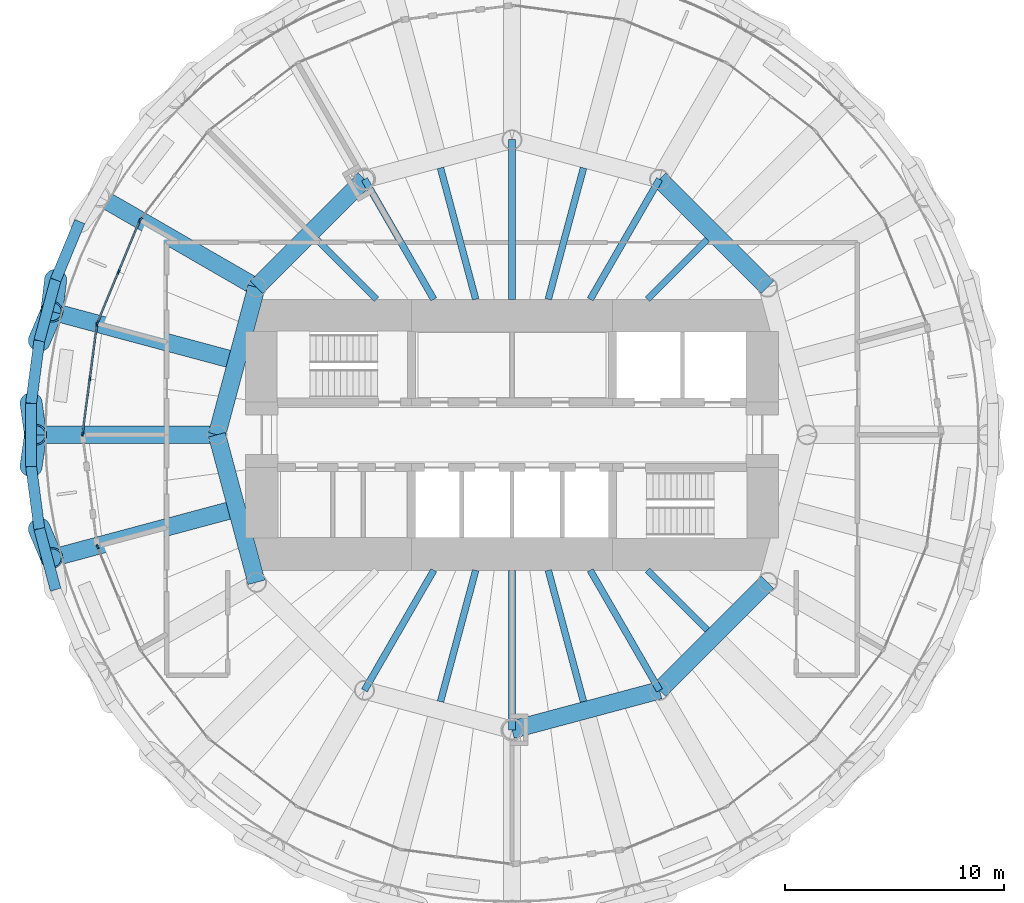
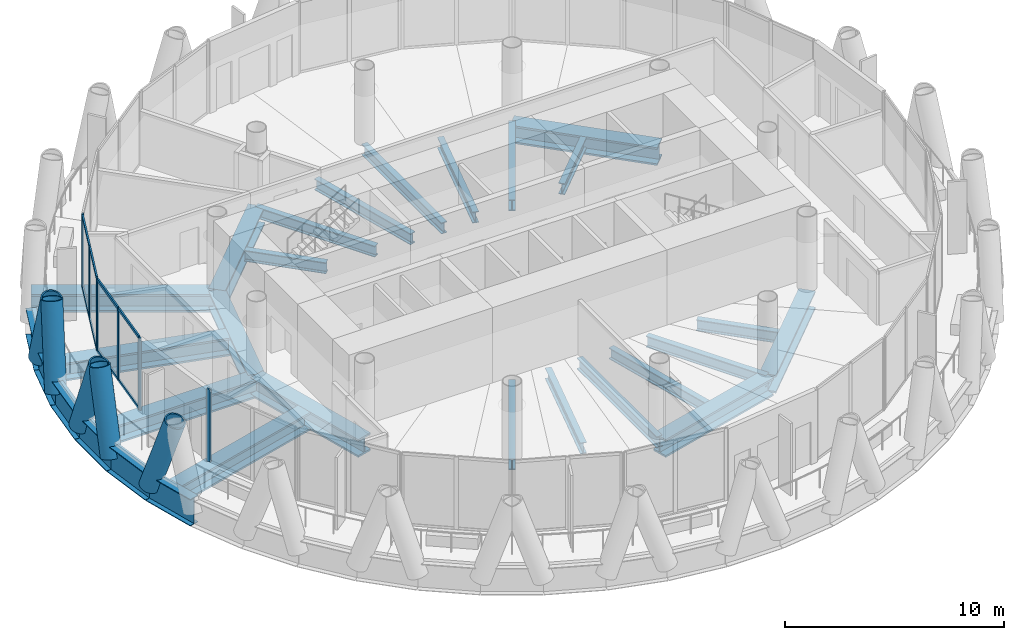
# One storey, part 3 of 15: 29 beams, 21 members, 4 elements without a shape of their own.
"""IFC4 building model written with IfcOpenShell, lengths in metres."""

from ifc_helpers import new_model, si_unit, direction, frame, origin, origin_2d, place, context, subcontext, project, spatial, rectangle, hollow_circle, i_section, extrude, material, material_profile, profile_set, type_object, element, aggregate, save


model = new_model("IFC4")

# Units and contexts
model_context = context("Model", 3, precision=1e-05, world=origin(), true_north=direction((0.0, 1.0)))
body_context = subcontext(model_context, "Body", "Model", "MODEL_VIEW")
ifc_project = project(units=[si_unit("LENGTHUNIT", "METRE"), si_unit("AREAUNIT", "SQUARE_METRE"), si_unit("VOLUMEUNIT", "CUBIC_METRE"), si_unit("PLANEANGLEUNIT", "RADIAN"), si_unit("MASSUNIT", "GRAM", prefix="KILO")], contexts=[model_context])

# Site, building, storey
site_placement = place(None, origin())
site = spatial("IfcSite", under=ifc_project, at=site_placement, CompositionType="ELEMENT")
building_placement = place(site_placement, origin())
building = spatial("IfcBuilding", under=site, at=building_placement, Name="Qaws Media Tower", CompositionType="ELEMENT")
storey_placement = place(building_placement, frame((0.0, 0.0, 257.0)))
storey = spatial("IfcBuildingStorey", under=building, at=storey_placement, Name="L59", CompositionType="ELEMENT", Elevation=257.0)

# Curtain wall, member
ifc_material_1 = material(Name="Aluminium and clear glass", Category="aluminium")
curtain_wall_type = type_object("IfcCurtainWallType", Name="Unitised curtain wall CW-C", PredefinedType="NOTDEFINED", material=ifc_material_1)
curtain_wall_1_placement = place(storey_placement, origin())
curtain_wall_1 = element("IfcCurtainWall", 1, at=curtain_wall_1_placement, inside=storey, type_object=curtain_wall_type, Name="CWC curtain wall L59-10", PredefinedType="NOTDEFINED")
ifc_material_2 = material(Name="Aluminium mullion", Category="aluminium")
ifc_material_profile_1 = material_profile(ifc_material_2, rectangle(XDim=0.080078125, YDim=0.199951171875, at=origin_2d()), Name="80x200")
ifc_profile_set_1 = profile_set([ifc_material_profile_1], Name="Aluminium mullion")
member_type_1 = type_object("IfcMemberType", Name="Curtain wall mullion 80x200", PredefinedType="MULLION", material=ifc_profile_set_1)
member_1_placement = place(storey_placement, frame((43.0068359375, 59.856689453125, 0.0), z_axis=(0.0, 0.0, 1.0), x_axis=(0.793353316003, -0.608761460662, 0.0)))
member_1 = element("IfcMember", 2, at=member_1_placement, type_object=member_type_1, Name="CWC mullion 3", PredefinedType="MULLION", context=body_context, shape_type="SweptSolid", body=[
    extrude(rectangle(XDim=0.080078125, YDim=0.199951171875, at=origin_2d()), origin(), (0.0, 0.0, 1.0), 4.0400390625),
])
aggregate(curtain_wall_1, [member_1])

# Curtain wall, members
curtain_wall_2_placement = place(storey_placement, origin())
curtain_wall_2 = element("IfcCurtainWall", 3, at=curtain_wall_2_placement, inside=storey, type_object=curtain_wall_type, Name="CWC curtain wall L59-11", PredefinedType="NOTDEFINED")
member_2_placement = place(storey_placement, frame((42.96728515625, 59.7880859375, 0.0), z_axis=(0.0, 0.0, 1.0), x_axis=(0.923879560089, -0.382683365786, 0.0)))
member_2 = element("IfcMember", 4, at=member_2_placement, type_object=member_type_1, Name="CWC mullion 1", PredefinedType="MULLION", context=body_context, shape_type="SweptSolid", body=[
    extrude(rectangle(XDim=0.080078125, YDim=0.199951171875, at=origin_2d()), origin(), (0.0, 0.0, 1.0), 4.0400390625),
])
member_3_placement = place(storey_placement, frame((42.0009765625, 57.455322265625, 0.0), z_axis=(0.0, 0.0, 1.0), x_axis=(0.923879560089, -0.382683365786, 0.0)))
member_3 = element("IfcMember", 5, at=member_3_placement, type_object=member_type_1, Name="CWC mullion 2", PredefinedType="MULLION", context=body_context, shape_type="SweptSolid", body=[
    extrude(rectangle(XDim=0.080078125, YDim=0.199951171875, at=origin_2d()), origin(), (0.0, 0.0, 1.0), 4.0400390625),
])
member_4_placement = place(storey_placement, frame((41.034912109375, 55.122802734375, 0.0), z_axis=(0.0, 0.0, 1.0), x_axis=(0.923879560089, -0.382683365786, 0.0)))
member_4 = element("IfcMember", 6, at=member_4_placement, type_object=member_type_1, Name="CWC mullion 3", PredefinedType="MULLION", context=body_context, shape_type="SweptSolid", body=[
    extrude(rectangle(XDim=0.080078125, YDim=0.199951171875, at=origin_2d()), origin(), (0.0, 0.0, 1.0), 4.0400390625),
])

curtain_wall_3_placement = place(storey_placement, origin())
curtain_wall_3 = element("IfcCurtainWall", 7, at=curtain_wall_3_placement, inside=storey, type_object=curtain_wall_type, Name="CWC curtain wall L59-12", PredefinedType="NOTDEFINED")
member_5_placement = place(storey_placement, frame((41.014404296875, 55.046142578125, 0.0), z_axis=(0.0, 0.0, 1.0), x_axis=(0.991444848313, -0.130526291424, 0.0)))
member_5 = element("IfcMember", 8, at=member_5_placement, type_object=member_type_1, Name="CWC mullion 1", PredefinedType="MULLION", context=body_context, shape_type="SweptSolid", body=[
    extrude(rectangle(XDim=0.080078125, YDim=0.199951171875, at=origin_2d()), origin(), (0.0, 0.0, 1.0), 4.0400390625),
])
member_6_placement = place(storey_placement, frame((40.684814453125, 52.54296875, 0.0), z_axis=(0.0, 0.0, 1.0), x_axis=(0.991444848313, -0.130526291424, 0.0)))
member_6 = element("IfcMember", 9, at=member_6_placement, type_object=member_type_1, Name="CWC mullion 2", PredefinedType="MULLION", context=body_context, shape_type="SweptSolid", body=[
    extrude(rectangle(XDim=0.080078125, YDim=0.199951171875, at=origin_2d()), origin(), (0.0, 0.0, 1.0), 4.0400390625),
])
member_7_placement = place(storey_placement, frame((40.355224609375, 50.03955078125, 0.0), z_axis=(0.0, 0.0, 1.0), x_axis=(0.991444848313, -0.130526291424, 0.0)))
member_7 = element("IfcMember", 10, at=member_7_placement, type_object=member_type_1, Name="CWC mullion 3", PredefinedType="MULLION", context=body_context, shape_type="SweptSolid", body=[
    extrude(rectangle(XDim=0.080078125, YDim=0.199951171875, at=origin_2d()), origin(), (0.0, 0.0, 1.0), 4.0400390625),
])

# Curtain wall, member
curtain_wall_4_placement = place(storey_placement, origin())
curtain_wall_4 = element("IfcCurtainWall", 11, at=curtain_wall_4_placement, inside=storey, type_object=curtain_wall_type, Name="CWC curtain wall L59-14", PredefinedType="NOTDEFINED")
member_8_placement = place(storey_placement, frame((41.034912109375, 44.877197265625, 0.0), z_axis=(0.0, 0.0, 1.0), x_axis=(0.923879560089, 0.382683365786, 0.0)))
member_8 = element("IfcMember", 12, at=member_8_placement, type_object=member_type_1, Name="CWC mullion 1", PredefinedType="MULLION", context=body_context, shape_type="SweptSolid", body=[
    extrude(rectangle(XDim=0.080078125, YDim=0.199951171875, at=origin_2d()), origin(), (0.0, 0.0, 1.0), 4.0400390625),
])
aggregate(curtain_wall_4, [member_8])

# Member
ifc_material_3 = material(Name="Aluminium transom", Category="aluminium")
ifc_material_profile_2 = material_profile(ifc_material_3, rectangle(XDim=0.080078125, YDim=0.159912109375, at=origin_2d()), Name="80x160")
ifc_profile_set_2 = profile_set([ifc_material_profile_2], Name="Aluminium transom")
member_type_2 = type_object("IfcMemberType", Name="Curtain wall transom 80x160", PredefinedType="USERDEFINED", material=ifc_profile_set_2)
member_9_placement = place(storey_placement, frame((42.951904296875, 59.7509765625, 0.0400390625), z_axis=(-0.382692837519, -0.923875636713, 0.0), x_axis=(0.923875636713, -0.382692837519, 0.0)))
member_9 = element("IfcMember", 13, at=member_9_placement, type_object=member_type_2, Name="CWC transom 1.1", ObjectType="TRANSOM", PredefinedType="USERDEFINED", context=body_context, shape_type="SweptSolid", body=[
    extrude(rectangle(XDim=0.080078125, YDim=0.159912109375, at=origin_2d()), origin(), (0.0, 0.0, 1.0), 2.444580078125),
])

member_10_placement = place(storey_placement, frame((42.951904296875, 59.7509765625, 4.0), z_axis=(-0.382692837519, -0.923875636713, 0.0), x_axis=(0.923875636713, -0.382692837519, 0.0)))
member_10 = element("IfcMember", 14, at=member_10_placement, type_object=member_type_2, Name="CWC transom 1.2", ObjectType="TRANSOM", PredefinedType="USERDEFINED", context=body_context, shape_type="SweptSolid", body=[
    extrude(rectangle(XDim=0.080078125, YDim=0.159912109375, at=origin_2d()), origin(), (0.0, 0.0, 1.0), 2.444580078125),
])

member_11_placement = place(storey_placement, frame((41.98583984375, 57.41845703125, 0.0400390625), z_axis=(-0.382657531231, -0.923890260687, 0.0), x_axis=(0.923890260687, -0.382657531231, 0.0)))
member_11 = element("IfcMember", 15, at=member_11_placement, type_object=member_type_2, Name="CWC transom 2.1", ObjectType="TRANSOM", PredefinedType="USERDEFINED", context=body_context, shape_type="SweptSolid", body=[
    extrude(rectangle(XDim=0.080078125, YDim=0.159912109375, at=origin_2d()), origin(), (0.0, 0.0, 1.0), 2.44482421875),
])

member_12_placement = place(storey_placement, frame((41.98583984375, 57.41845703125, 4.0), z_axis=(-0.382657531231, -0.923890260687, 0.0), x_axis=(0.923890260687, -0.382657531231, 0.0)))
member_12 = element("IfcMember", 16, at=member_12_placement, type_object=member_type_2, Name="CWC transom 2.2", ObjectType="TRANSOM", PredefinedType="USERDEFINED", context=body_context, shape_type="SweptSolid", body=[
    extrude(rectangle(XDim=0.080078125, YDim=0.159912109375, at=origin_2d()), origin(), (0.0, 0.0, 1.0), 2.44482421875),
])

aggregate(curtain_wall_2, [member_2, member_3, member_4, member_9, member_10, member_11, member_12])

member_13_placement = place(storey_placement, frame((41.009033203125, 55.006591796875, 0.0400390625), z_axis=(-0.130508755558, -0.991447156798, 0.0), x_axis=(0.991447156798, -0.130508755558, 0.0)))
member_13 = element("IfcMember", 17, at=member_13_placement, type_object=member_type_2, Name="CWC transom 1.1", ObjectType="TRANSOM", PredefinedType="USERDEFINED", context=body_context, shape_type="SweptSolid", body=[
    extrude(rectangle(XDim=0.080078125, YDim=0.159912109375, at=origin_2d()), origin(), (0.0, 0.0, 1.0), 2.445068359375),
])

member_14_placement = place(storey_placement, frame((41.009033203125, 55.006591796875, 4.0), z_axis=(-0.130508755558, -0.991447156798, 0.0), x_axis=(0.991447156798, -0.130508755558, 0.0)))
member_14 = element("IfcMember", 18, at=member_14_placement, type_object=member_type_2, Name="CWC transom 1.2", ObjectType="TRANSOM", PredefinedType="USERDEFINED", context=body_context, shape_type="SweptSolid", body=[
    extrude(rectangle(XDim=0.080078125, YDim=0.159912109375, at=origin_2d()), origin(), (0.0, 0.0, 1.0), 2.445068359375),
])

member_15_placement = place(storey_placement, frame((40.679443359375, 52.503173828125, 0.0400390625), z_axis=(-0.130521677146, -0.991445455784, 0.0), x_axis=(0.991445455784, -0.130521677146, 0.0)))
member_15 = element("IfcMember", 19, at=member_15_placement, type_object=member_type_2, Name="CWC transom 2.1", ObjectType="TRANSOM", PredefinedType="USERDEFINED", context=body_context, shape_type="SweptSolid", body=[
    extrude(rectangle(XDim=0.080078125, YDim=0.159912109375, at=origin_2d()), origin(), (0.0, 0.0, 1.0), 2.44482421875),
])

member_16_placement = place(storey_placement, frame((40.679443359375, 52.503173828125, 4.0), z_axis=(-0.130521677146, -0.991445455784, 0.0), x_axis=(0.991445455784, -0.130521677146, 0.0)))
member_16 = element("IfcMember", 20, at=member_16_placement, type_object=member_type_2, Name="CWC transom 2.2", ObjectType="TRANSOM", PredefinedType="USERDEFINED", context=body_context, shape_type="SweptSolid", body=[
    extrude(rectangle(XDim=0.080078125, YDim=0.159912109375, at=origin_2d()), origin(), (0.0, 0.0, 1.0), 2.44482421875),
])

aggregate(curtain_wall_3, [member_5, member_6, member_7, member_13, member_14, member_15, member_16])

# Members
ifc_material_4 = material(Name="Steel S460", Category="steel")
ifc_material_profile_3 = material_profile(ifc_material_4, hollow_circle(Radius=0.508056640625, WallThickness=0.070068359375, at=origin_2d()), Name="CHS 1016x70")
ifc_profile_set_3 = profile_set([ifc_material_profile_3], Name="Steel S460")
member_type_3 = type_object("IfcMemberType", Name="Diagrid member CHS 1016x70", PredefinedType="USERDEFINED", material=ifc_profile_set_3)
for number, where, z_axis, x_axis, name in (
    (21, (39.1201171875, 57.087646484375, -0.909912109375), (-0.039873460202, -0.325138959222, 0.944825255996), (0.992564081167, -0.121723230224, 0.0), "DG3 diagrid L59 A11"),
    (22, (37.997314453125, 51.442138671875, -0.909912109375), (0.045584805806, -0.324421021562, 0.944813752148), (0.990272104917, 0.139144379056, 0.0), "DG3 diagrid L59 A12"),
    (23, (38.373779296875, 54.3017578125, -0.909912109375), (0.128021309233, 0.301572290432, 0.944809344802), (-0.920492264578, 0.39076078469, 0.0), "DG3 diagrid L59 B12"),
    (24, (38.373779296875, 45.6982421875, -0.909912109375), (0.128021309233, -0.301572290432, 0.944809344802), (0.920492264578, 0.39076078469, 0.0), "DG3 diagrid L59 A13"),
    (25, (37.997314453125, 48.557861328125, -0.909912109375), (0.045584805806, 0.324421021562, 0.944813752148), (-0.990272104917, 0.139144379056, 0.0), "DG3 diagrid L59 B13"),
):
    element("IfcMember", number, at=place(storey_placement, frame(where, z_axis=z_axis, x_axis=x_axis)), inside=storey, type_object=member_type_3, Name=name, ObjectType="DIAGRID", PredefinedType="USERDEFINED", context=body_context, shape_type="SweptSolid", body=[
        extrude(hollow_circle(Radius=0.508056640625, WallThickness=0.070068359375, at=origin_2d()), origin(), (0.0, 0.0, 1.0), 4.4453125),
    ])

# Beams
ifc_material_5 = material(Name="Steel S460", Category="steel")
ifc_material_profile_4 = material_profile(ifc_material_5, i_section(OverallWidth=0.5, OverallDepth=1.5, WebThickness=0.02001953125, FlangeThickness=0.0400390625, at=origin_2d()), Name="PG 1500x500")
ifc_profile_set_4 = profile_set([ifc_material_profile_4], Name="Steel S460")
beam_type_1 = type_object("IfcBeamType", Name="Edge ring beam PG 1500x500", PredefinedType="BEAM", material=ifc_profile_set_4)
beam_1_placement = place(storey_placement, frame((40.223876953125, 59.75244140625, -0.909912109375), z_axis=(-0.382673243004, -0.923883753017, 0.0), x_axis=(0.923883753017, -0.382673243004, 0.0)))
element("IfcBeam", 26, at=beam_1_placement, inside=storey, type_object=beam_type_1, Name="RB4 edge ring beam L59-21", PredefinedType="BEAM", context=body_context, shape_type="SweptSolid", body=[
    extrude(i_section(OverallWidth=0.5, OverallDepth=1.5, WebThickness=0.02001953125, FlangeThickness=0.0400390625, at=origin_2d()), origin(), (0.0, 0.0, 1.0), 2.88427734375),
])
beam_2_placement = place(storey_placement, frame((39.1201171875, 57.087646484375, -0.909912109375), z_axis=(-0.258774166059, -0.965937850475, 0.0), x_axis=(0.965937850475, -0.258774166059, 0.0)))
element("IfcBeam", 27, at=beam_2_placement, inside=storey, type_object=beam_type_1, Name="RB4 edge ring beam L59-22", PredefinedType="BEAM", context=body_context, shape_type="SweptSolid", body=[
    extrude(i_section(OverallWidth=0.5, OverallDepth=1.5, WebThickness=0.02001953125, FlangeThickness=0.0400390625, at=origin_2d()), origin(), (0.0, 0.0, 1.0), 2.884033203125),
])
for number, where, z_axis, x_axis, name in (
    (28, (38.373779296875, 54.3017578125, -0.909912109375), (-0.1305223895, -0.991445362004, 0.0), (0.991445362004, -0.1305223895, 0.0), "RB4 edge ring beam L59-23"),
    (29, (37.997314453125, 51.442138671875, -0.909912109375), (0.0, -1.0, 0.0), (1.0, 0.0, 0.0), "RB4 edge ring beam L59-24"),
    (30, (37.997314453125, 48.557861328125, -0.909912109375), (0.1305223895, -0.991445362004, 0.0), (0.991445362004, 0.1305223895, 0.0), "RB4 edge ring beam L59-25"),
):
    element("IfcBeam", number, at=place(storey_placement, frame(where, z_axis=z_axis, x_axis=x_axis)), inside=storey, type_object=beam_type_1, Name=name, PredefinedType="BEAM", context=body_context, shape_type="SweptSolid", body=[
        extrude(i_section(OverallWidth=0.5, OverallDepth=1.5, WebThickness=0.02001953125, FlangeThickness=0.0400390625, at=origin_2d()), origin(), (0.0, 0.0, 1.0), 2.88427734375),
    ])
beam_3_placement = place(storey_placement, frame((38.373779296875, 45.6982421875, -0.909912109375), z_axis=(0.258774166059, -0.965937850475, 0.0), x_axis=(0.965937850475, 0.258774166059, 0.0)))
element("IfcBeam", 31, at=beam_3_placement, inside=storey, type_object=beam_type_1, Name="RB4 edge ring beam L59-26", PredefinedType="BEAM", context=body_context, shape_type="SweptSolid", body=[
    extrude(i_section(OverallWidth=0.5, OverallDepth=1.5, WebThickness=0.02001953125, FlangeThickness=0.0400390625, at=origin_2d()), origin(), (0.0, 0.0, 1.0), 2.884033203125),
])
ifc_material_6 = material(Name="Steel S460", Category="steel")
ifc_material_profile_5 = material_profile(ifc_material_6, i_section(OverallWidth=0.800048828125, OverallDepth=1.0, WebThickness=0.0400390625, FlangeThickness=0.10009765625, at=origin_2d()), Name="PG 1000x800")
ifc_profile_set_5 = profile_set([ifc_material_profile_5], Name="Steel S460")
beam_type_2 = type_object("IfcBeamType", Name="Inner ring girder PG 1000x800", PredefinedType="BEAM", material=ifc_profile_set_5)
for number, where, z_axis, x_axis, name in (
    (32, (71.69140625, 56.75, -0.659912109375), (-0.707106781187, 0.707106781187, 0.0), (-0.707106781187, -0.707106781187, 0.0), "B3 inner ring beam L59 I02-I03"),
    (33, (53.25, 61.69140625, -0.659912109375), (-0.707106781187, -0.707106781187, 0.0), (0.707106781187, -0.707106781187, 0.0), "B3 inner ring beam L59 I05-I06"),
):
    element("IfcBeam", number, at=place(storey_placement, frame(where, z_axis=z_axis, x_axis=x_axis)), inside=storey, type_object=beam_type_2, Name=name, PredefinedType="BEAM", context=body_context, shape_type="SweptSolid", body=[
        extrude(i_section(OverallWidth=0.800048828125, OverallDepth=1.0, WebThickness=0.0400390625, FlangeThickness=0.10009765625, at=origin_2d()), origin(), (0.0, 0.0, 1.0), 6.98828125),
    ])
for number, where, z_axis, x_axis, name in (
    (34, (48.30859375, 56.75, -0.659912109375), (-0.258810593767, -0.965928090778, 0.0), (0.965928090778, -0.258810593767, 0.0), "B3 inner ring beam L59 I06-I07"),
    (35, (46.5, 50.0, -0.659912109375), (0.258810593767, -0.965928090778, 0.0), (0.965928090778, 0.258810593767, 0.0), "B3 inner ring beam L59 I07-I08"),
    (36, (60.0, 36.5, -0.659912109375), (0.965928090778, 0.258810593767, 0.0), (-0.258810593767, 0.965928090778, 0.0), "B3 inner ring beam L59 I10-I11"),
):
    element("IfcBeam", number, at=place(storey_placement, frame(where, z_axis=z_axis, x_axis=x_axis)), inside=storey, type_object=beam_type_2, Name=name, PredefinedType="BEAM", context=body_context, shape_type="SweptSolid", body=[
        extrude(i_section(OverallWidth=0.800048828125, OverallDepth=1.0, WebThickness=0.0400390625, FlangeThickness=0.10009765625, at=origin_2d()), origin(), (0.0, 0.0, 1.0), 6.988037109375),
    ])
beam_4_placement = place(storey_placement, frame((66.75, 38.30859375, -0.659912109375), z_axis=(0.707106781187, 0.707106781187, 0.0), x_axis=(-0.707106781187, 0.707106781187, 0.0)))
element("IfcBeam", 37, at=beam_4_placement, inside=storey, type_object=beam_type_2, Name="B3 inner ring beam L59 I11-I12", PredefinedType="BEAM", context=body_context, shape_type="SweptSolid", body=[
    extrude(i_section(OverallWidth=0.800048828125, OverallDepth=1.0, WebThickness=0.0400390625, FlangeThickness=0.10009765625, at=origin_2d()), origin(), (0.0, 0.0, 1.0), 6.98828125),
])
ifc_material_7 = material(Name="Steel S355", Category="steel")
ifc_material_profile_6 = material_profile(ifc_material_7, i_section(OverallWidth=0.304931640625, OverallDepth=0.6201171875, WebThickness=0.02099609375, FlangeThickness=0.0400390625, FilletRadius=0.027099609375, at=origin_2d()), Name="HE 600 M")
ifc_profile_set_6 = profile_set([ifc_material_profile_6], Name="Steel S355")
beam_type_3 = type_object("IfcBeamType", Name="Radial beam HE 600 M, core side", PredefinedType="BEAM", material=ifc_profile_set_6)
beam_5_placement = place(storey_placement, frame((66.199951171875, 56.199951171875, -0.469970703125), z_axis=(0.707106781187, 0.707106781187, 0.0), x_axis=(-0.707106781187, 0.707106781187, 0.0)))
element("IfcBeam", 38, at=beam_5_placement, inside=storey, type_object=beam_type_3, Name="B2 radial beam L59 04", PredefinedType="BEAM", context=body_context, shape_type="SweptSolid", body=[
    extrude(i_section(OverallWidth=0.304931640625, OverallDepth=0.6201171875, WebThickness=0.02099609375, FlangeThickness=0.0400390625, FilletRadius=0.027099609375, at=origin_2d()), origin(), (0.0, 0.0, 1.0), 3.871826171875),
])
beam_6_placement = place(storey_placement, frame((63.57958984375, 56.199951171875, -0.469970703125), z_axis=(0.499990193304, 0.866031065609, 0.0), x_axis=(-0.866031065609, 0.499990193304, 0.0)))
element("IfcBeam", 39, at=beam_6_placement, inside=storey, type_object=beam_type_3, Name="B2 radial beam L59 05", PredefinedType="BEAM", context=body_context, shape_type="SweptSolid", body=[
    extrude(i_section(OverallWidth=0.304931640625, OverallDepth=0.6201171875, WebThickness=0.02099609375, FlangeThickness=0.0400390625, FilletRadius=0.027099609375, at=origin_2d()), origin(), (0.0, 0.0, 1.0), 6.341064453125),
])
beam_7_placement = place(storey_placement, frame((61.661376953125, 56.199951171875, -0.469970703125), z_axis=(0.258808008719, 0.965928783412, 0.0), x_axis=(-0.965928783412, 0.258808008719, 0.0)))
element("IfcBeam", 40, at=beam_7_placement, inside=storey, type_object=beam_type_3, Name="B2 radial beam L59 06", PredefinedType="BEAM", context=body_context, shape_type="SweptSolid", body=[
    extrude(i_section(OverallWidth=0.304931640625, OverallDepth=0.6201171875, WebThickness=0.02099609375, FlangeThickness=0.0400390625, FilletRadius=0.027099609375, at=origin_2d()), origin(), (0.0, 0.0, 1.0), 6.22119140625),
])
beam_8_placement = place(storey_placement, frame((60.0, 56.199951171875, -0.469970703125), z_axis=(0.0, 1.0, 0.0), x_axis=(-1.0, 0.0, 0.0)))
element("IfcBeam", 41, at=beam_8_placement, inside=storey, type_object=beam_type_3, Name="B2 radial beam L59 07", PredefinedType="BEAM", context=body_context, shape_type="SweptSolid", body=[
    extrude(i_section(OverallWidth=0.304931640625, OverallDepth=0.6201171875, WebThickness=0.02099609375, FlangeThickness=0.0400390625, FilletRadius=0.027099609375, at=origin_2d()), origin(), (0.0, 0.0, 1.0), 7.300048828125),
])
beam_9_placement = place(storey_placement, frame((58.338623046875, 56.199951171875, -0.469970703125), z_axis=(-0.258808008719, 0.965928783412, 0.0), x_axis=(-0.965928783412, -0.258808008719, 0.0)))
element("IfcBeam", 42, at=beam_9_placement, inside=storey, type_object=beam_type_3, Name="B2 radial beam L59 08", PredefinedType="BEAM", context=body_context, shape_type="SweptSolid", body=[
    extrude(i_section(OverallWidth=0.304931640625, OverallDepth=0.6201171875, WebThickness=0.02099609375, FlangeThickness=0.0400390625, FilletRadius=0.027099609375, at=origin_2d()), origin(), (0.0, 0.0, 1.0), 6.22119140625),
])
beam_10_placement = place(storey_placement, frame((56.42041015625, 56.199951171875, -0.469970703125), z_axis=(-0.499990193304, 0.866031065609, 0.0), x_axis=(-0.866031065609, -0.499990193304, 0.0)))
element("IfcBeam", 43, at=beam_10_placement, inside=storey, type_object=beam_type_3, Name="B2 radial beam L59 09", PredefinedType="BEAM", context=body_context, shape_type="SweptSolid", body=[
    extrude(i_section(OverallWidth=0.304931640625, OverallDepth=0.6201171875, WebThickness=0.02099609375, FlangeThickness=0.0400390625, FilletRadius=0.027099609375, at=origin_2d()), origin(), (0.0, 0.0, 1.0), 6.341064453125),
])
beam_11_placement = place(storey_placement, frame((53.800048828125, 56.199951171875, -0.469970703125), z_axis=(-0.707106781187, 0.707106781187, 0.0), x_axis=(-0.707106781187, -0.707106781187, 0.0)))
element("IfcBeam", 44, at=beam_11_placement, inside=storey, type_object=beam_type_3, Name="B2 radial beam L59 10", PredefinedType="BEAM", context=body_context, shape_type="SweptSolid", body=[
    extrude(i_section(OverallWidth=0.304931640625, OverallDepth=0.6201171875, WebThickness=0.02099609375, FlangeThickness=0.0400390625, FilletRadius=0.027099609375, at=origin_2d()), origin(), (0.0, 0.0, 1.0), 3.871826171875),
])
beam_12_placement = place(storey_placement, frame((56.42041015625, 43.800048828125, -0.469970703125), z_axis=(-0.499990193304, -0.866031065609, 0.0), x_axis=(0.866031065609, -0.499990193304, 0.0)))
element("IfcBeam", 45, at=beam_12_placement, inside=storey, type_object=beam_type_3, Name="B2 radial beam L59 17", PredefinedType="BEAM", context=body_context, shape_type="SweptSolid", body=[
    extrude(i_section(OverallWidth=0.304931640625, OverallDepth=0.6201171875, WebThickness=0.02099609375, FlangeThickness=0.0400390625, FilletRadius=0.027099609375, at=origin_2d()), origin(), (0.0, 0.0, 1.0), 6.341064453125),
])
beam_13_placement = place(storey_placement, frame((58.338623046875, 43.800048828125, -0.469970703125), z_axis=(-0.258808008719, -0.965928783412, 0.0), x_axis=(0.965928783412, -0.258808008719, 0.0)))
element("IfcBeam", 46, at=beam_13_placement, inside=storey, type_object=beam_type_3, Name="B2 radial beam L59 18", PredefinedType="BEAM", context=body_context, shape_type="SweptSolid", body=[
    extrude(i_section(OverallWidth=0.304931640625, OverallDepth=0.6201171875, WebThickness=0.02099609375, FlangeThickness=0.0400390625, FilletRadius=0.027099609375, at=origin_2d()), origin(), (0.0, 0.0, 1.0), 6.22119140625),
])
beam_14_placement = place(storey_placement, frame((60.0, 43.800048828125, -0.469970703125), z_axis=(0.0, -1.0, 0.0), x_axis=(1.0, 0.0, 0.0)))
element("IfcBeam", 47, at=beam_14_placement, inside=storey, type_object=beam_type_3, Name="B2 radial beam L59 19", PredefinedType="BEAM", context=body_context, shape_type="SweptSolid", body=[
    extrude(i_section(OverallWidth=0.304931640625, OverallDepth=0.6201171875, WebThickness=0.02099609375, FlangeThickness=0.0400390625, FilletRadius=0.027099609375, at=origin_2d()), origin(), (0.0, 0.0, 1.0), 7.300048828125),
])
beam_15_placement = place(storey_placement, frame((61.661376953125, 43.800048828125, -0.469970703125), z_axis=(0.258808008719, -0.965928783412, 0.0), x_axis=(0.965928783412, 0.258808008719, 0.0)))
element("IfcBeam", 48, at=beam_15_placement, inside=storey, type_object=beam_type_3, Name="B2 radial beam L59 20", PredefinedType="BEAM", context=body_context, shape_type="SweptSolid", body=[
    extrude(i_section(OverallWidth=0.304931640625, OverallDepth=0.6201171875, WebThickness=0.02099609375, FlangeThickness=0.0400390625, FilletRadius=0.027099609375, at=origin_2d()), origin(), (0.0, 0.0, 1.0), 6.22119140625),
])
beam_16_placement = place(storey_placement, frame((63.57958984375, 43.800048828125, -0.469970703125), z_axis=(0.499990193304, -0.866031065609, 0.0), x_axis=(0.866031065609, 0.499990193304, 0.0)))
element("IfcBeam", 49, at=beam_16_placement, inside=storey, type_object=beam_type_3, Name="B2 radial beam L59 21", PredefinedType="BEAM", context=body_context, shape_type="SweptSolid", body=[
    extrude(i_section(OverallWidth=0.304931640625, OverallDepth=0.6201171875, WebThickness=0.02099609375, FlangeThickness=0.0400390625, FilletRadius=0.027099609375, at=origin_2d()), origin(), (0.0, 0.0, 1.0), 6.341064453125),
])
beam_17_placement = place(storey_placement, frame((66.199951171875, 43.800048828125, -0.469970703125), z_axis=(0.707106781187, -0.707106781187, 0.0), x_axis=(0.707106781187, 0.707106781187, 0.0)))
element("IfcBeam", 50, at=beam_17_placement, inside=storey, type_object=beam_type_3, Name="B2 radial beam L59 22", PredefinedType="BEAM", context=body_context, shape_type="SweptSolid", body=[
    extrude(i_section(OverallWidth=0.304931640625, OverallDepth=0.6201171875, WebThickness=0.02099609375, FlangeThickness=0.0400390625, FilletRadius=0.027099609375, at=origin_2d()), origin(), (0.0, 0.0, 1.0), 3.871826171875),
])
ifc_material_8 = material(Name="Steel S460", Category="steel")
ifc_material_profile_7 = material_profile(ifc_material_8, i_section(OverallWidth=0.800048828125, OverallDepth=1.0, WebThickness=0.0400390625, FlangeThickness=0.10009765625, at=origin_2d()), Name="PG 1000x800")
ifc_profile_set_7 = profile_set([ifc_material_profile_7], Name="Steel S460")
beam_type_4 = type_object("IfcBeamType", Name="Radial girder PG 1000x800", PredefinedType="BEAM", material=ifc_profile_set_7)
beam_18_placement = place(storey_placement, frame((48.30859375, 56.75, -0.659912109375), z_axis=(-0.866018708055, 0.500011597164, 0.0), x_axis=(-0.500011597164, -0.866018708055, 0.0)))
element("IfcBeam", 51, at=beam_18_placement, inside=storey, type_object=beam_type_4, Name="B1 radial beam L59 11", PredefinedType="BEAM", context=body_context, shape_type="SweptSolid", body=[
    extrude(i_section(OverallWidth=0.800048828125, OverallDepth=1.0, WebThickness=0.0400390625, FlangeThickness=0.10009765625, at=origin_2d()), origin(), (0.0, 0.0, 1.0), 8.502685546875),
])
beam_19_placement = place(storey_placement, frame((47.01806640625, 53.478515625, -0.659912109375), z_axis=(-0.965924762039, 0.258823016907, 0.0), x_axis=(-0.258823016907, -0.965924762039, 0.0)))
element("IfcBeam", 52, at=beam_19_placement, inside=storey, type_object=beam_type_4, Name="B1 radial beam L59 12", PredefinedType="BEAM", context=body_context, shape_type="SweptSolid", body=[
    extrude(i_section(OverallWidth=0.800048828125, OverallDepth=1.0, WebThickness=0.0400390625, FlangeThickness=0.10009765625, at=origin_2d()), origin(), (0.0, 0.0, 1.0), 8.56298828125),
])
beam_20_placement = place(storey_placement, frame((46.5, 50.0, -0.659912109375), z_axis=(-1.0, 0.0, 0.0), x_axis=(0.0, -1.0, 0.0)))
element("IfcBeam", 53, at=beam_20_placement, inside=storey, type_object=beam_type_4, Name="B1 radial beam L59 13", PredefinedType="BEAM", context=body_context, shape_type="SweptSolid", body=[
    extrude(i_section(OverallWidth=0.800048828125, OverallDepth=1.0, WebThickness=0.0400390625, FlangeThickness=0.10009765625, at=origin_2d()), origin(), (0.0, 0.0, 1.0), 8.502685546875),
])
beam_21_placement = place(storey_placement, frame((47.01806640625, 46.521484375, -0.659912109375), z_axis=(-0.965924762039, -0.258823016907, 0.0), x_axis=(0.258823016907, -0.965924762039, 0.0)))
element("IfcBeam", 54, at=beam_21_placement, inside=storey, type_object=beam_type_4, Name="B1 radial beam L59 14", PredefinedType="BEAM", context=body_context, shape_type="SweptSolid", body=[
    extrude(i_section(OverallWidth=0.800048828125, OverallDepth=1.0, WebThickness=0.0400390625, FlangeThickness=0.10009765625, at=origin_2d()), origin(), (0.0, 0.0, 1.0), 8.56298828125),
])

save(model, "model.ifc")
